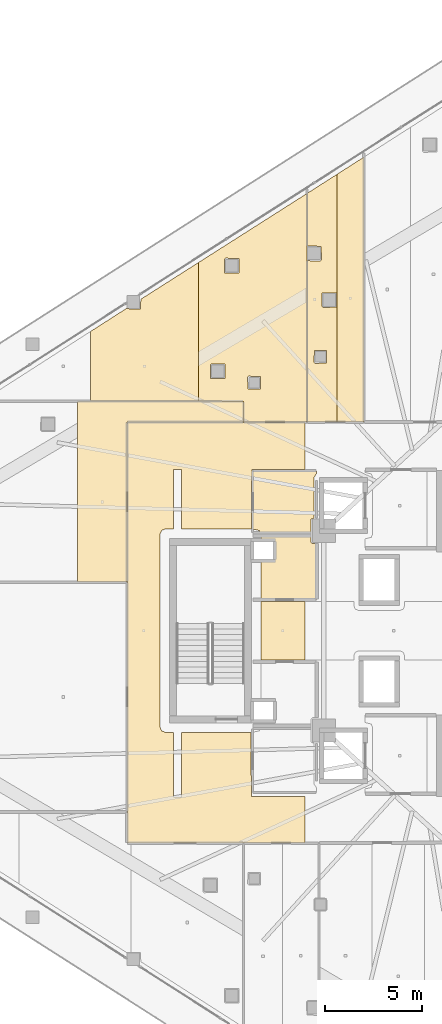
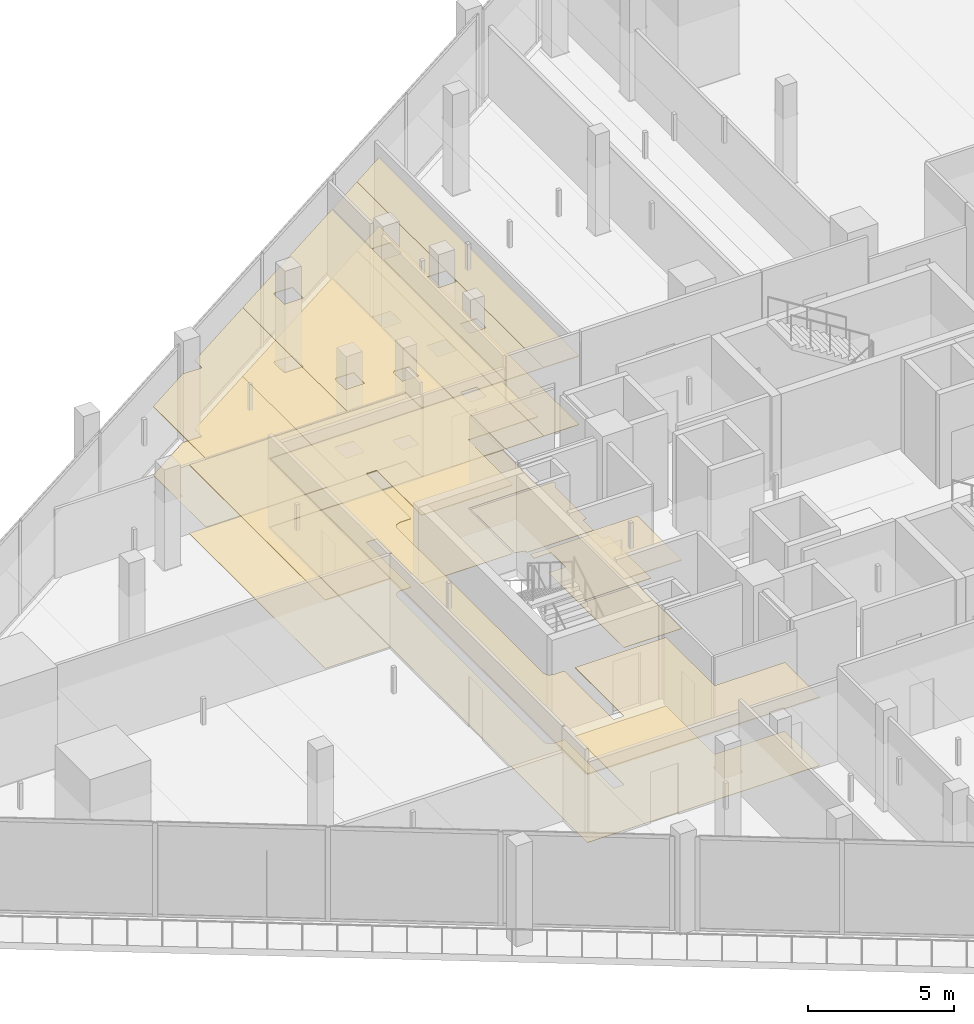
# One storey, part 41 of 44: 16 coverings.
"""IFC4 building model written with IfcOpenShell, lengths in metres."""

import ifcopenshell
import ifcopenshell.guid

model = None  # the IFC model being written
_history = None  # IfcOwnerHistory: only IFC2X3 demands one
_inside = {}  # id of a spatial element -> (the spatial element, [elements in it])
_under = {}  # id of a project, library or spatial element -> (it, [spatial elements below it])
_declared = {}  # id of a project -> (the project, [libraries it declares])
_typed = {}  # id of a type object -> (the type object, [elements of that type])
_made_of = {}  # id of a material, layer set ... -> (it, [elements and type objects made of it])


def new_model(schema):
    """Start an empty IFC model of exactly this schema.

    Asked for "IFC4X3", IfcOpenShell would pick the latest addendum, in which some entities
    have other attributes; the version numbers below select the first issue.
    IFC2X3 requires an IfcOwnerHistory on every rooted entity: one is made here for all.
    """
    global model, _history
    if schema == "IFC4X3":
        model = ifcopenshell.file(schema_version=(4, 3, 0, 0))
    else:
        model = ifcopenshell.file(schema=schema)
    _inside.clear()
    _under.clear()
    _declared.clear()
    _typed.clear()
    _made_of.clear()
    _history = None
    if model.schema == "IFC2X3":
        org = make("IfcOrganization", Name="unknown")
        user = make(
            "IfcPersonAndOrganization",
            ThePerson=make("IfcPerson", FamilyName="unknown"),
            TheOrganization=org,
        )
        app = make(
            "IfcApplication",
            ApplicationDeveloper=org,
            Version="unknown",
            ApplicationFullName="unknown",
            ApplicationIdentifier="unknown",
        )
        _history = make(
            "IfcOwnerHistory",
            OwningUser=user,
            OwningApplication=app,
            ChangeAction="ADDED",
            CreationDate=0,
        )
    return model


def make(cls, **values):
    """One entity of the class cls with the attributes given. An attribute that is None is left unset."""
    return model.create_entity(
        cls, **{name: value for name, value in values.items() if value is not None}
    )


def rooted(cls, **values):
    """An entity with a GlobalId (a new one), such as an element, a storey or a relation."""
    return make(cls, GlobalId=ifcopenshell.guid.new(), OwnerHistory=_history, **values)


def si_unit(unit_type, name, prefix=None):
    """IfcSIUnit, for example si_unit("LENGTHUNIT", "METRE", prefix="MILLI")."""
    return make("IfcSIUnit", UnitType=unit_type, Prefix=prefix, Name=name)


def assignment(units):
    """IfcUnitAssignment: the units of a project."""
    return None if units is None else make("IfcUnitAssignment", Units=units)


def point(xyz):
    """IfcCartesianPoint."""
    return None if xyz is None else make("IfcCartesianPoint", Coordinates=xyz)


def direction(xyz):
    """IfcDirection."""
    return None if xyz is None else make("IfcDirection", DirectionRatios=xyz)


def frame(location, z_axis=None, x_axis=None):
    """IfcAxis2Placement3D, a coordinate frame: its origin and axes. An axis left out is left unset."""
    return make(
        "IfcAxis2Placement3D",
        Location=point(location),
        Axis=direction(z_axis),
        RefDirection=direction(x_axis),
    )


def origin():
    """The frame at (0, 0, 0) with its axes left unset."""
    return frame((0.0, 0.0, 0.0))


def place(relative_to, where):
    """IfcLocalPlacement: puts the frame where relative to a parent placement (None: the world)."""
    return make(
        "IfcLocalPlacement", PlacementRelTo=relative_to, RelativePlacement=where
    )


def context(
    kind, dimensions, precision=None, world=None, true_north=None, identifier=None
):
    """IfcGeometricRepresentationContext, for example the 3D "Model" context."""
    return make(
        "IfcGeometricRepresentationContext",
        ContextIdentifier=identifier,
        ContextType=kind,
        CoordinateSpaceDimension=dimensions,
        Precision=precision,
        WorldCoordinateSystem=world,
        TrueNorth=true_north,
    )


def subcontext(parent, identifier, kind, view, scale=None):
    """IfcGeometricRepresentationSubContext, for example "Body" below "Model"."""
    return make(
        "IfcGeometricRepresentationSubContext",
        ContextIdentifier=identifier,
        ContextType=kind,
        ParentContext=parent,
        TargetScale=scale,
        TargetView=view,
    )


def project(units=None, contexts=None):
    """IfcProject with its units and contexts."""
    return rooted(
        "IfcProject",
        Name="project",
        RepresentationContexts=contexts,
        UnitsInContext=assignment(units),
    )


def spatial(cls, under=None, at=None, **own):
    """A site, building, storey or space (cls), placed at a placement, below another one or the project."""
    s = rooted(cls, ObjectPlacement=at, **own)
    if under is not None:
        _under.setdefault(under.id(), (under, []))[1].append(s)
    return s


def polyline(points):
    """IfcPolyline through the points."""
    return make("IfcPolyline", Points=[point(p) for p in points])


def outline(outer, holes=None, kind="AREA"):
    """IfcArbitraryClosedProfileDef: a profile drawn as a closed curve; with holes, ...WithVoids."""
    if holes is None:
        return make("IfcArbitraryClosedProfileDef", ProfileType=kind, OuterCurve=outer)
    return make(
        "IfcArbitraryProfileDefWithVoids",
        ProfileType=kind,
        OuterCurve=outer,
        InnerCurves=holes,
    )


def extrude(swept, where, along, depth):
    """IfcExtrudedAreaSolid: the profile swept, set in the frame where, extruded along a direction by depth."""
    return make(
        "IfcExtrudedAreaSolid",
        SweptArea=swept,
        Position=where,
        ExtrudedDirection=direction(along),
        Depth=depth,
    )


def shape(context_of_items, identifier, shape_type, items):
    """IfcShapeRepresentation: the items that make up one representation, for example the "Body"."""
    return make(
        "IfcShapeRepresentation",
        ContextOfItems=context_of_items,
        RepresentationIdentifier=identifier,
        RepresentationType=shape_type,
        Items=items,
    )


def material(Name=None, Category=None):
    """IfcMaterial."""
    return make("IfcMaterial", Name=Name, Category=Category)


def layer(
    of_material, thickness, ventilated=None, Name=None, Category=None, Priority=None
):
    """IfcMaterialLayer: one layer of a wall or slab, of a material (None: an air gap)."""
    return make(
        "IfcMaterialLayer",
        Material=of_material,
        LayerThickness=thickness,
        IsVentilated=ventilated,
        Name=Name,
        Category=Category,
        Priority=Priority,
    )


def layer_set(layers, Name=None):
    """IfcMaterialLayerSet."""
    return make("IfcMaterialLayerSet", MaterialLayers=layers, LayerSetName=Name)


def made_of(thing, what):
    """Note that an element or type object is made of a material, layer set ...; save() writes the relation."""
    if what is not None:
        _made_of.setdefault(what.id(), (what, []))[1].append(thing)
    return thing


def type_object(cls, material=None, **own):
    """A type object (cls), such as IfcWallType, which elements share."""
    return made_of(rooted(cls, **own), material)


def element(
    cls,
    number,
    at=None,
    inside=None,
    cuts=None,
    type_object=None,
    material=None,
    context=None,
    identifier="Body",
    shape_type=None,
    held_by="IfcProductDefinitionShape",
    body=None,
    shapes=None,
    **own,
):
    """One element of the class cls, such as IfcWall. Its Tag is "e" and its number.

    at: its placement. inside: the storey or other place that contains it. cuts: it is an
    opening in that element (IfcRelVoidsElement). A single representation is given by context,
    identifier, shape_type and body (its items); several are given by shapes. held_by: the class
    of the entity that holds the representations. save() writes the other relations.
    """
    e = rooted(cls, Tag="e%d" % number, ObjectPlacement=at, **own)
    if body is not None:
        shapes = [shape(context, identifier, shape_type, body)]
    if shapes is not None:
        e.Representation = make(held_by, Representations=shapes)
    if inside is not None:
        _inside.setdefault(inside.id(), (inside, []))[1].append(e)
    if cuts is not None:
        rooted(
            "IfcRelVoidsElement", RelatingBuildingElement=cuts, RelatedOpeningElement=e
        )
    if type_object is not None:
        _typed.setdefault(type_object.id(), (type_object, []))[1].append(e)
    return made_of(e, material)


def aggregate(whole, parts):
    """IfcRelAggregates: a whole, such as a stair, and the parts it consists of."""
    return rooted("IfcRelAggregates", RelatingObject=whole, RelatedObjects=parts)


def save(model, path):
    """Write the relations noted so far, then the file.

    IfcRelAggregates (storeys below a building ...), IfcRelContainedInSpatialStructure (elements
    in a storey), IfcRelDefinesByType, IfcRelAssociatesMaterial and IfcRelDeclares: one each for
    every whole, place, type object, material and project.
    """
    for whole, parts in _under.values():
        aggregate(whole, parts)
    for where, things in _inside.values():
        rooted(
            "IfcRelContainedInSpatialStructure",
            RelatedElements=things,
            RelatingStructure=where,
        )
    for kind, things in _typed.values():
        rooted("IfcRelDefinesByType", RelatedObjects=things, RelatingType=kind)
    for what, things in _made_of.values():
        rooted("IfcRelAssociatesMaterial", RelatedObjects=things, RelatingMaterial=what)
    for by, libraries in _declared.values():
        rooted("IfcRelDeclares", RelatingContext=by, RelatedDefinitions=libraries)
    model.write(path)


model = new_model("IFC4")

# Units and contexts
model_context = context("Model", 3, precision=1e-05, world=origin(), true_north=direction((0.0, 1.0)))
body_context = subcontext(model_context, "Body", "Model", "MODEL_VIEW")
ifc_project = project(units=[si_unit("LENGTHUNIT", "METRE"), si_unit("AREAUNIT", "SQUARE_METRE"), si_unit("VOLUMEUNIT", "CUBIC_METRE"), si_unit("PLANEANGLEUNIT", "RADIAN"), si_unit("MASSUNIT", "GRAM", prefix="KILO")], contexts=[model_context])

# Site, building, storey
site_placement = place(None, origin())
site = spatial("IfcSite", under=ifc_project, at=site_placement, CompositionType="ELEMENT")
building_placement = place(site_placement, origin())
building = spatial("IfcBuilding", under=site, at=building_placement, Name="Qorvath Tower", CompositionType="ELEMENT")
storey_placement = place(building_placement, frame((0.0, 0.0, 53.39990234375)))
storey = spatial("IfcBuildingStorey", under=building, at=storey_placement, Name="L11", CompositionType="ELEMENT", Elevation=53.39990234375)

# Coverings
ifc_material_1 = material(Name="Acoustic mineral fibre ceiling tile", Category="gypsum")
ifc_layer_1 = layer(ifc_material_1, 0.030029296875)
ifc_layer_set_1 = layer_set([ifc_layer_1], Name="COV-CEIL")
covering_type_1 = type_object("IfcCoveringType", Name="COV-CEIL", PredefinedType="CEILING", material=ifc_layer_set_1)
covering_1_placement = place(storey_placement, frame((0.0, 0.0, 2.85009765625)))
element("IfcCovering", 1, at=covering_1_placement, inside=storey, type_object=covering_type_1, Name="L11 Suspended Acoustic Ceiling 007", PredefinedType="CEILING", context=body_context, shape_type="SweptSolid", body=[
    extrude(outline(polyline([(-31.481689453125, -10.945068359375), (-31.481689453125, -8.564697265625), (-34.25, -8.56494140625), (-34.2548828125, -5.239990234375), (-37.844970703125, -5.239990234375), (-37.844970703125, -8.580078125), (-38.2548828125, -8.580078125), (-38.2548828125, -5.239990234375), (-38.699951171875, -5.239990234375), (-38.876708984375, -5.166748046875), (-38.949951171875, -4.989990234375), (-38.949951171875, 4.989990234375), (-38.876708984375, 5.166748046875), (-38.699951171875, 5.239990234375), (-38.2548828125, 5.239990234375), (-38.25341796875, 8.323486328125), (-37.844970703125, 8.320068359375), (-37.844970703125, 5.239990234375), (-34.2509765625, 5.239990234375), (-34.219970703125, 8.324951171875), (-31.481689453125, 8.324951171875), (-31.481689453125, 10.7451171875), (-40.64501953125, 10.7451171875), (-40.64501953125, -10.945068359375), (-31.481689453125, -10.945068359375)])), origin(), (0.0, 0.0, 1.0), 0.030029296875),
])
covering_2_placement = place(storey_placement, frame((0.0, 0.0, 2.85009765625)))
element("IfcCovering", 2, at=covering_2_placement, inside=storey, type_object=covering_type_1, Name="L11 Suspended Acoustic Ceiling 008", PredefinedType="CEILING", context=body_context, shape_type="SweptSolid", body=[
    extrude(outline(polyline([(-31.481689453125, -1.514892578125), (-31.481689453125, 1.514892578125), (-33.760009765625, 1.514892578125), (-33.760009765625, -1.514892578125), (-31.481689453125, -1.514892578125)])), origin(), (0.0, 0.0, 1.0), 0.030029296875),
])
covering_3_placement = place(storey_placement, frame((0.0, 0.0, 2.85009765625)))
element("IfcCovering", 3, at=covering_3_placement, inside=storey, type_object=covering_type_1, Name="L11 Suspended Acoustic Ceiling 011", PredefinedType="CEILING", context=body_context, shape_type="SweptSolid", body=[
    extrude(outline(polyline([(-36.964599609375, 11.8359375), (-36.964599609375, 18.99560546875), (-39.947509765625, 17.09716796875), (-39.965087890625, 16.58837890625), (-40.709228515625, 16.610595703125), (-42.54833984375, 15.4296875), (-42.54833984375, 11.84033203125), (-36.964599609375, 11.8359375)])), origin(), (0.0, 0.0, 1.0), 0.030029296875),
])
covering_4_placement = place(storey_placement, frame((0.0, 0.0, 2.85009765625)))
element("IfcCovering", 4, at=covering_4_placement, inside=storey, type_object=covering_type_1, Name="L11 Suspended Acoustic Ceiling 012", PredefinedType="CEILING", context=body_context, shape_type="SweptSolid", body=[
    extrude(outline(polyline([(-31.380859375, 22.548828125), (-36.964599609375, 18.99560546875), (-36.964599609375, 11.8359375), (-34.64990234375, 11.833984375), (-34.64501953125, 10.762939453125), (-31.380859375, 10.762939453125), (-31.380859375, 22.548828125)]), holes=[polyline([(-34.439208984375, 13.0673828125), (-34.379150390625, 13.12744140625), (-33.786865234375, 13.10986328125), (-33.786865234375, 12.47509765625), (-34.421630859375, 12.47509765625), (-34.439208984375, 13.0673828125)]), polyline([(-35.63671875, 19.154296875), (-35.57666015625, 19.21435546875), (-34.88427734375, 19.19677734375), (-34.88427734375, 18.4619140625), (-35.619140625, 18.4619140625), (-35.63671875, 19.154296875)]), polyline([(-36.36572265625, 13.705810546875), (-36.3056640625, 13.765869140625), (-35.61328125, 13.748291015625), (-35.61328125, 13.013427734375), (-36.34814453125, 13.013427734375), (-36.36572265625, 13.705810546875)])]), origin(), (0.0, 0.0, 1.0), 0.030029296875),
])
covering_5_placement = place(storey_placement, frame((0.0, 0.0, 2.85009765625)))
element("IfcCovering", 5, at=covering_5_placement, inside=storey, type_object=covering_type_1, Name="L11 Suspended Acoustic Ceiling 013", PredefinedType="CEILING", context=body_context, shape_type="SweptSolid", body=[
    extrude(outline(polyline([(-31.36279296875, 10.762939453125), (-29.834716796875, 10.762939453125), (-29.834716796875, 23.537109375), (-31.36279296875, 22.560302734375), (-31.36279296875, 19.83642578125), (-30.648681640625, 19.827880859375), (-30.631103515625, 19.135498046875), (-30.691162109375, 19.075439453125), (-31.36279296875, 19.08447265625), (-31.36279296875, 10.762939453125)]), holes=[polyline([(-30.60986328125, 16.734619140625), (-30.59228515625, 17.427001953125), (-29.857421875, 17.427001953125), (-29.857421875, 16.692138671875), (-30.5498046875, 16.674560546875), (-30.60986328125, 16.734619140625)]), polyline([(-31.01220703125, 13.849365234375), (-30.99462890625, 14.441650390625), (-30.35986328125, 14.441650390625), (-30.35986328125, 13.806884765625), (-30.9521484375, 13.789306640625), (-31.01220703125, 13.849365234375)])]), origin(), (0.0, 0.0, 1.0), 0.030029296875),
])
covering_6_placement = place(storey_placement, frame((0.0, 0.0, 2.85009765625)))
element("IfcCovering", 6, at=covering_6_placement, inside=storey, type_object=covering_type_1, Name="L11 Suspended Acoustic Ceiling 014", PredefinedType="CEILING", context=body_context, shape_type="SweptSolid", body=[
    extrude(outline(polyline([(-29.834716796875, 23.537109375), (-29.834716796875, 10.762939453125), (-28.4423828125, 10.762939453125), (-28.4423828125, 24.427001953125), (-29.834716796875, 23.537109375)])), origin(), (0.0, 0.0, 1.0), 0.030029296875),
])
covering_7_placement = place(storey_placement, frame((0.0, 0.0, 2.85009765625)))
element("IfcCovering", 7, at=covering_7_placement, inside=storey, type_object=covering_type_1, Name="L11 Suspended Acoustic Ceiling 049", PredefinedType="CEILING", context=body_context, shape_type="SweptSolid", body=[
    extrude(outline(polyline([(-43.22412109375, 11.822998046875), (-43.22412109375, 2.512451171875), (-40.6630859375, 2.512451171875), (-40.66162109375, 10.761474609375), (-34.6630859375, 10.762939453125), (-34.6630859375, 11.816162109375), (-43.22412109375, 11.822998046875)])), origin(), (0.0, 0.0, 1.0), 0.030029296875),
])
ifc_material_2 = material(Name="Low-VOC modular carpet tile", Category="textile")
ifc_layer_2 = layer(ifc_material_2, 0.014892578125)
ifc_layer_set_2 = layer_set([ifc_layer_2], Name="COV-FLOOR-CPT")
covering_type_2 = type_object("IfcCoveringType", Name="COV-FLOOR-CPT", PredefinedType="FLOORING", material=ifc_layer_set_2)
covering_8_placement = place(storey_placement, origin())
element("IfcCovering", 8, at=covering_8_placement, inside=storey, type_object=covering_type_2, Name="L11 Floor Finish 004", PredefinedType="FLOORING", context=body_context, shape_type="SweptSolid", body=[
    extrude(outline(polyline([(-31.159912109375, 4.89501953125), (-33.760009765625, 4.89501953125), (-33.760009765625, 4.633056640625), (-33.08837890625, 4.631591796875), (-33.0869140625, 3.64208984375), (-33.760009765625, 3.636962890625), (-33.760009765625, 1.60498046875), (-30.885009765625, 1.60498046875), (-30.885009765625, 4.489990234375), (-31.10009765625, 4.489990234375), (-31.159912109375, 4.550048828125), (-31.159912109375, 4.89501953125)])), origin(), (0.0, 0.0, 1.0), 0.01513671875),
])
covering_9_placement = place(storey_placement, origin())
element("IfcCovering", 9, at=covering_9_placement, inside=storey, type_object=covering_type_2, Name="L11 Floor Finish 011", PredefinedType="FLOORING", context=body_context, shape_type="SweptSolid", body=[
    extrude(outline(polyline([(-36.964599609375, 11.8359375), (-36.964599609375, 18.99560546875), (-39.947509765625, 17.09716796875), (-39.965087890625, 16.58837890625), (-40.709228515625, 16.610595703125), (-42.54833984375, 15.4296875), (-42.54833984375, 11.84033203125), (-36.964599609375, 11.8359375)])), origin(), (0.0, 0.0, 1.0), 0.01513671875),
])
covering_10_placement = place(storey_placement, origin())
element("IfcCovering", 10, at=covering_10_placement, inside=storey, type_object=covering_type_2, Name="L11 Floor Finish 012", PredefinedType="FLOORING", context=body_context, shape_type="SweptSolid", body=[
    extrude(outline(polyline([(-31.380859375, 22.548828125), (-36.964599609375, 18.99560546875), (-36.964599609375, 11.8359375), (-34.64990234375, 11.833984375), (-34.64501953125, 10.762939453125), (-31.380859375, 10.762939453125), (-31.380859375, 22.548828125)]), holes=[polyline([(-34.439208984375, 13.0673828125), (-34.379150390625, 13.12744140625), (-33.786865234375, 13.10986328125), (-33.786865234375, 12.47509765625), (-34.421630859375, 12.47509765625), (-34.439208984375, 13.0673828125)]), polyline([(-35.63671875, 19.154296875), (-35.57666015625, 19.21435546875), (-34.88427734375, 19.19677734375), (-34.88427734375, 18.4619140625), (-35.619140625, 18.4619140625), (-35.63671875, 19.154296875)]), polyline([(-36.36572265625, 13.705810546875), (-36.3056640625, 13.765869140625), (-35.61328125, 13.748291015625), (-35.61328125, 13.013427734375), (-36.34814453125, 13.013427734375), (-36.36572265625, 13.705810546875)])]), origin(), (0.0, 0.0, 1.0), 0.01513671875),
])
covering_11_placement = place(storey_placement, origin())
element("IfcCovering", 11, at=covering_11_placement, inside=storey, type_object=covering_type_2, Name="L11 Floor Finish 013", PredefinedType="FLOORING", context=body_context, shape_type="SweptSolid", body=[
    extrude(outline(polyline([(-31.36279296875, 10.762939453125), (-29.834716796875, 10.762939453125), (-29.834716796875, 23.537109375), (-31.36279296875, 22.560302734375), (-31.36279296875, 19.83642578125), (-30.648681640625, 19.827880859375), (-30.631103515625, 19.135498046875), (-30.691162109375, 19.075439453125), (-31.36279296875, 19.08447265625), (-31.36279296875, 10.762939453125)]), holes=[polyline([(-30.60986328125, 16.734619140625), (-30.59228515625, 17.427001953125), (-29.857421875, 17.427001953125), (-29.857421875, 16.692138671875), (-30.5498046875, 16.674560546875), (-30.60986328125, 16.734619140625)]), polyline([(-31.01220703125, 13.849365234375), (-30.99462890625, 14.441650390625), (-30.35986328125, 14.441650390625), (-30.35986328125, 13.806884765625), (-30.9521484375, 13.789306640625), (-31.01220703125, 13.849365234375)])]), origin(), (0.0, 0.0, 1.0), 0.01513671875),
])
covering_12_placement = place(storey_placement, origin())
element("IfcCovering", 12, at=covering_12_placement, inside=storey, type_object=covering_type_2, Name="L11 Floor Finish 014", PredefinedType="FLOORING", context=body_context, shape_type="SweptSolid", body=[
    extrude(outline(polyline([(-29.834716796875, 23.537109375), (-29.834716796875, 10.762939453125), (-28.4423828125, 10.762939453125), (-28.4423828125, 24.427001953125), (-29.834716796875, 23.537109375)])), origin(), (0.0, 0.0, 1.0), 0.01513671875),
])
covering_13_placement = place(storey_placement, origin())
element("IfcCovering", 13, at=covering_13_placement, inside=storey, type_object=covering_type_2, Name="L11 Floor Finish 049", PredefinedType="FLOORING", context=body_context, shape_type="SweptSolid", body=[
    extrude(outline(polyline([(-43.22412109375, 11.822998046875), (-43.22412109375, 2.512451171875), (-40.6630859375, 2.512451171875), (-40.66162109375, 10.761474609375), (-34.6630859375, 10.762939453125), (-34.6630859375, 11.816162109375), (-43.22412109375, 11.822998046875)])), origin(), (0.0, 0.0, 1.0), 0.01513671875),
])
ifc_material_3 = material(Name="Polished epoxy terrazzo flooring", Category="concrete")
ifc_layer_3 = layer(ifc_material_3, 0.02001953125)
ifc_layer_set_3 = layer_set([ifc_layer_3], Name="COV-FLOOR-TRZ")
covering_type_3 = type_object("IfcCoveringType", Name="COV-FLOOR-TRZ", PredefinedType="FLOORING", material=ifc_layer_set_3)
covering_14_placement = place(storey_placement, origin())
element("IfcCovering", 14, at=covering_14_placement, inside=storey, type_object=covering_type_3, Name="L11 Floor Finish 003", PredefinedType="FLOORING", context=body_context, shape_type="SweptSolid", body=[
    extrude(outline(polyline([(-31.010009765625, 7.909912109375), (-30.885009765625, 8.108154296875), (-30.885009765625, 8.2451171875), (-34.175048828125, 8.2451171875), (-34.175048828125, 5.239990234375), (-33.833251953125, 5.166748046875), (-33.786865234375, 5.054931640625), (-31.159912109375, 5.054931640625), (-31.159912109375, 5.75), (-31.010009765625, 5.81005859375), (-31.010009765625, 7.909912109375)])), origin(), (0.0, 0.0, 1.0), 0.01513671875),
])
covering_15_placement = place(storey_placement, origin())
element("IfcCovering", 15, at=covering_15_placement, inside=storey, type_object=covering_type_3, Name="L11 Floor Finish 007", PredefinedType="FLOORING", context=body_context, shape_type="SweptSolid", body=[
    extrude(outline(polyline([(-31.481689453125, -10.945068359375), (-31.481689453125, -8.564697265625), (-34.25, -8.56494140625), (-34.2548828125, -5.239990234375), (-37.844970703125, -5.239990234375), (-37.844970703125, -8.580078125), (-38.2548828125, -8.580078125), (-38.2548828125, -5.239990234375), (-38.699951171875, -5.239990234375), (-38.876708984375, -5.166748046875), (-38.949951171875, -4.989990234375), (-38.949951171875, 4.989990234375), (-38.876708984375, 5.166748046875), (-38.699951171875, 5.239990234375), (-38.2548828125, 5.239990234375), (-38.25341796875, 8.323486328125), (-37.844970703125, 8.320068359375), (-37.844970703125, 5.239990234375), (-34.2509765625, 5.239990234375), (-34.219970703125, 8.324951171875), (-31.481689453125, 8.324951171875), (-31.481689453125, 10.7451171875), (-40.64501953125, 10.7451171875), (-40.64501953125, -10.945068359375), (-31.481689453125, -10.945068359375)])), origin(), (0.0, 0.0, 1.0), 0.01513671875),
])
covering_16_placement = place(storey_placement, origin())
element("IfcCovering", 16, at=covering_16_placement, inside=storey, type_object=covering_type_3, Name="L11 Floor Finish 008", PredefinedType="FLOORING", context=body_context, shape_type="SweptSolid", body=[
    extrude(outline(polyline([(-31.481689453125, -1.514892578125), (-31.481689453125, 1.514892578125), (-33.760009765625, 1.514892578125), (-33.760009765625, -1.514892578125), (-31.481689453125, -1.514892578125)])), origin(), (0.0, 0.0, 1.0), 0.01513671875),
])

save(model, "model.ifc")
